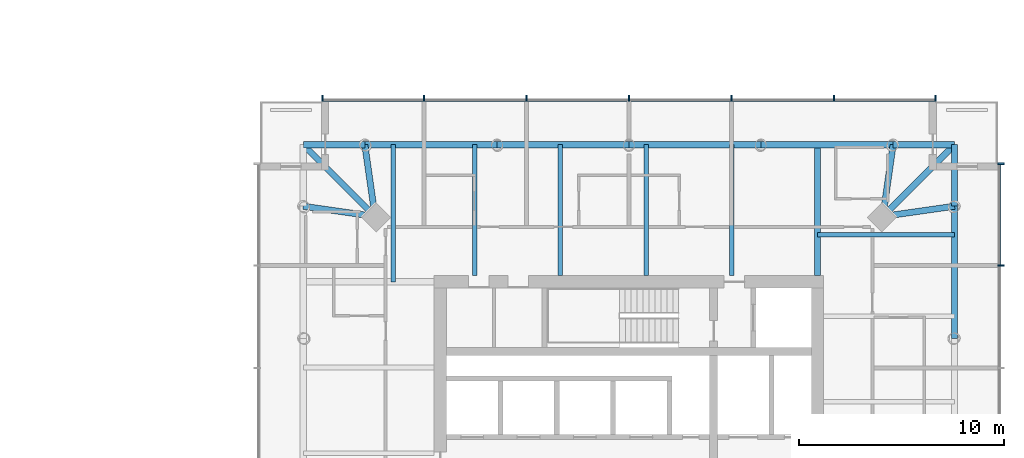
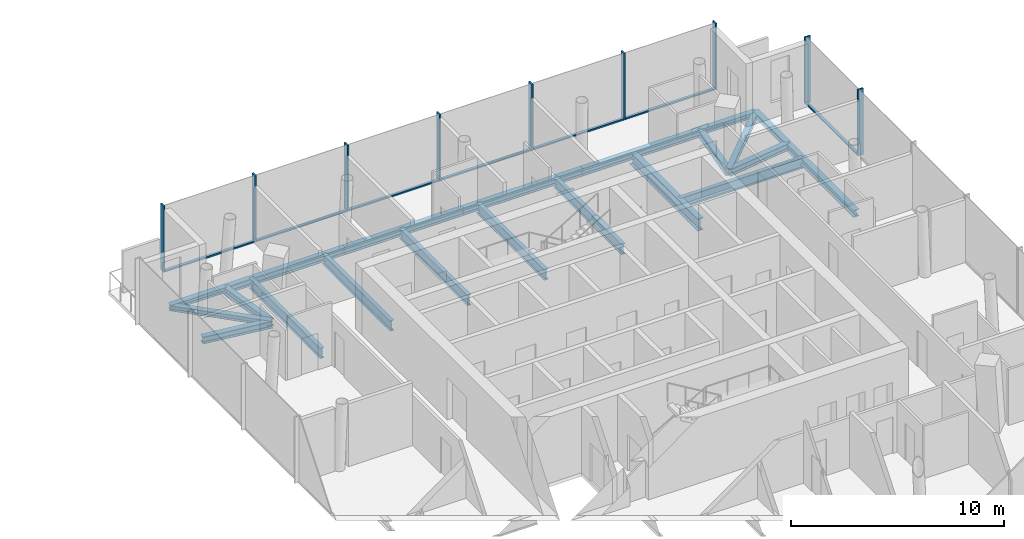
# One storey, part 5 of 18: 21 beams, 16 members, 2 elements without a shape of their own.
"""IFC4 building model written with IfcOpenShell, lengths in metres."""

from ifc_helpers import new_model, si_unit, direction, frame, origin, origin_2d, place, context, subcontext, project, spatial, rectangle, i_section, extrude, material, material_profile, profile_set, type_object, element, aggregate, save


model = new_model("IFC4")

# Units and contexts
model_context = context("Model", 3, precision=1e-05, world=origin(), true_north=direction((0.0, 1.0)))
body_context = subcontext(model_context, "Body", "Model", "MODEL_VIEW")
ifc_project = project(units=[si_unit("LENGTHUNIT", "METRE"), si_unit("AREAUNIT", "SQUARE_METRE"), si_unit("VOLUMEUNIT", "CUBIC_METRE"), si_unit("PLANEANGLEUNIT", "RADIAN"), si_unit("MASSUNIT", "GRAM", prefix="KILO")], contexts=[model_context])

# Site, building, storey
site_placement = place(None, origin())
site = spatial("IfcSite", under=ifc_project, at=site_placement, CompositionType="ELEMENT")
building_placement = place(site_placement, origin())
building = spatial("IfcBuilding", under=site, at=building_placement, Name="Ostroluk Exchange", CompositionType="ELEMENT")
storey_placement = place(building_placement, frame((0.0, 0.0, 93.199951171875)))
storey = spatial("IfcBuildingStorey", under=building, at=storey_placement, Name="L23", CompositionType="ELEMENT", Elevation=93.199951171875)

# Beams
ifc_material_1 = material(Name="Steel S355", Category="steel")
ifc_material_profile_1 = material_profile(ifc_material_1, i_section(OverallWidth=0.300048828125, OverallDepth=0.300048828125, WebThickness=0.010986328125, FlangeThickness=0.01904296875, FilletRadius=0.027099609375, at=origin_2d()), Name="HEB 300")
ifc_profile_set_1 = profile_set([ifc_material_profile_1], Name="Steel S355")
beam_type_1 = type_object("IfcBeamType", Name="Balcony beam HEB 300", PredefinedType="BEAM", material=ifc_profile_set_1)
for number, where, z_axis, x_axis, name in (
    (1, (132.887939453125, 58.887939453125, -0.349853515625), (0.0, 1.0, 0.0), (-1.0, 0.0, 0.0), "T2 east balcony beam a"),
    (2, (129.887939453125, 61.887939453125, -0.349853515625), (1.0, 0.0, 0.0), (0.0, 1.0, 0.0), "T2 east balcony beam b"),
):
    element("IfcBeam", number, at=place(storey_placement, frame(where, z_axis=z_axis, x_axis=x_axis)), inside=storey, type_object=beam_type_1, Name=name, PredefinedType="BEAM", context=body_context, shape_type="SweptSolid", body=[
        extrude(i_section(OverallWidth=0.300048828125, OverallDepth=0.300048828125, WebThickness=0.010986328125, FlangeThickness=0.01904296875, FilletRadius=0.027099609375, at=origin_2d()), origin(), (0.0, 0.0, 1.0), 3.0),
    ])
beam_1_placement = place(storey_placement, frame((129.387939453125, 58.387939453125, -0.349853515625), z_axis=(0.707106781187, 0.707106781187, 0.0), x_axis=(-0.707106781187, 0.707106781187, 0.0)))
element("IfcBeam", 3, at=beam_1_placement, inside=storey, type_object=beam_type_1, Name="T2 east balcony beam c", PredefinedType="BEAM", context=body_context, shape_type="SweptSolid", body=[
    extrude(i_section(OverallWidth=0.300048828125, OverallDepth=0.300048828125, WebThickness=0.010986328125, FlangeThickness=0.01904296875, FilletRadius=0.027099609375, at=origin_2d()), origin(), (0.0, 0.0, 1.0), 4.94970703125),
])
beam_2_placement = place(storey_placement, frame((104.112060546875, 61.887939453125, -0.349853515625), z_axis=(-1.0, 0.0, 0.0), x_axis=(0.0, -1.0, 0.0)))
element("IfcBeam", 4, at=beam_2_placement, inside=storey, type_object=beam_type_1, Name="T2 north balcony beam a", PredefinedType="BEAM", context=body_context, shape_type="SweptSolid", body=[
    extrude(i_section(OverallWidth=0.300048828125, OverallDepth=0.300048828125, WebThickness=0.010986328125, FlangeThickness=0.01904296875, FilletRadius=0.027099609375, at=origin_2d()), origin(), (0.0, 0.0, 1.0), 3.0),
])
beam_3_placement = place(storey_placement, frame((104.612060546875, 58.387939453125, -0.349853515625), z_axis=(-0.707106781187, 0.707106781187, 0.0), x_axis=(-0.707106781187, -0.707106781187, 0.0)))
element("IfcBeam", 5, at=beam_3_placement, inside=storey, type_object=beam_type_1, Name="T2 north balcony beam c", PredefinedType="BEAM", context=body_context, shape_type="SweptSolid", body=[
    extrude(i_section(OverallWidth=0.300048828125, OverallDepth=0.300048828125, WebThickness=0.010986328125, FlangeThickness=0.01904296875, FilletRadius=0.027099609375, at=origin_2d()), origin(), (0.0, 0.0, 1.0), 4.94970703125),
])
ifc_material_2 = material(Name="Steel S355", Category="steel")
ifc_material_profile_2 = material_profile(ifc_material_2, i_section(OverallWidth=0.300048828125, OverallDepth=0.39990234375, WebThickness=0.013427734375, FlangeThickness=0.02392578125, FilletRadius=0.027099609375, at=origin_2d()), Name="HEB 400")
ifc_profile_set_2 = profile_set([ifc_material_profile_2], Name="Steel S355")
beam_type_2 = type_object("IfcBeamType", Name="Corner edge beam HEB 400", PredefinedType="SPANDREL", material=ifc_profile_set_2)
for number, where, z_axis, x_axis, name in (
    (6, (129.387939453125, 58.387939453125, -0.39990234375), (0.989949493661, 0.141421356237, 0.0), (-0.141421356237, 0.989949493661, 0.0), "T2 east corner edge beam a"),
    (7, (129.387939453125, 58.387939453125, -0.39990234375), (0.141421356237, 0.989949493661, 0.0), (-0.989949493661, 0.141421356237, 0.0), "T2 east corner edge beam b"),
    (8, (104.612060546875, 58.387939453125, -0.39990234375), (-0.141421356237, 0.989949493661, 0.0), (-0.989949493661, -0.141421356237, 0.0), "T2 north corner edge beam a"),
    (9, (104.612060546875, 58.387939453125, -0.39990234375), (-0.989949493661, 0.141421356237, 0.0), (-0.141421356237, -0.989949493661, 0.0), "T2 north corner edge beam b"),
):
    element("IfcBeam", number, at=place(storey_placement, frame(where, z_axis=z_axis, x_axis=x_axis)), inside=storey, type_object=beam_type_2, Name=name, PredefinedType="SPANDREL", context=body_context, shape_type="SweptSolid", body=[
        extrude(i_section(OverallWidth=0.300048828125, OverallDepth=0.39990234375, WebThickness=0.013427734375, FlangeThickness=0.02392578125, FilletRadius=0.027099609375, at=origin_2d()), origin(), (0.0, 0.0, 1.0), 3.53564453125),
    ])
ifc_material_3 = material(Name="Steel S355", Category="steel")
ifc_material_profile_3 = material_profile(ifc_material_3, i_section(OverallWidth=0.219970703125, OverallDepth=0.60009765625, WebThickness=0.011962890625, FlangeThickness=0.01904296875, FilletRadius=0.02392578125, at=origin_2d()), Name="IPE 600")
ifc_profile_set_3 = profile_set([ifc_material_profile_3], Name="Steel S355")
beam_type_3 = type_object("IfcBeamType", Name="Floor beam IPE 600", PredefinedType="BEAM", material=ifc_profile_set_3)
beam_4_placement = place(storey_placement, frame((126.199951171875, 57.488037109375, -0.5), z_axis=(1.0, 0.0, 0.0), x_axis=(0.0, 1.0, 0.0)))
element("IfcBeam", 10, at=beam_4_placement, inside=storey, type_object=beam_type_3, Name="T2 east floor beam 5", PredefinedType="BEAM", context=body_context, shape_type="SweptSolid", body=[
    extrude(i_section(OverallWidth=0.219970703125, OverallDepth=0.60009765625, WebThickness=0.011962890625, FlangeThickness=0.01904296875, FilletRadius=0.02392578125, at=origin_2d()), origin(), (0.0, 0.0, 1.0), 6.68798828125),
])
for number, where, z_axis, x_axis, name in (
    (11, (122.018798828125, 55.5, -0.5), (0.0, 1.0, 0.0), (-1.0, 0.0, 0.0), "T2 north floor beam 1"),
    (12, (117.83740234375, 55.5, -0.5), (0.0, 1.0, 0.0), (-1.0, 0.0, 0.0), "T2 north floor beam 2"),
    (13, (113.656005859375, 55.5, -0.5), (0.0, 1.0, 0.0), (-1.0, 0.0, 0.0), "T2 north floor beam 3"),
    (14, (109.474609375, 55.5, -0.5), (0.0, 1.0, 0.0), (-1.0, 0.0, 0.0), "T2 north floor beam 4"),
):
    element("IfcBeam", number, at=place(storey_placement, frame(where, z_axis=z_axis, x_axis=x_axis)), inside=storey, type_object=beam_type_3, Name=name, PredefinedType="BEAM", context=body_context, shape_type="SweptSolid", body=[
        extrude(i_section(OverallWidth=0.219970703125, OverallDepth=0.60009765625, WebThickness=0.011962890625, FlangeThickness=0.01904296875, FilletRadius=0.02392578125, at=origin_2d()), origin(), (0.0, 0.0, 1.0), 6.387939453125),
    ])
beam_5_placement = place(storey_placement, frame((105.511962890625, 55.199951171875, -0.5), z_axis=(0.0, 1.0, 0.0), x_axis=(-1.0, 0.0, 0.0)))
element("IfcBeam", 15, at=beam_5_placement, inside=storey, type_object=beam_type_3, Name="T2 north floor beam 5", PredefinedType="BEAM", context=body_context, shape_type="SweptSolid", body=[
    extrude(i_section(OverallWidth=0.219970703125, OverallDepth=0.60009765625, WebThickness=0.011962890625, FlangeThickness=0.01904296875, FilletRadius=0.02392578125, at=origin_2d()), origin(), (0.0, 0.0, 1.0), 6.68798828125),
])
ifc_material_4 = material(Name="Steel S355", Category="steel")
ifc_material_profile_4 = material_profile(ifc_material_4, i_section(OverallWidth=0.300048828125, OverallDepth=0.699951171875, WebThickness=0.01708984375, FlangeThickness=0.031982421875, FilletRadius=0.027099609375, at=origin_2d()), Name="HEB 700")
ifc_profile_set_4 = profile_set([ifc_material_profile_4], Name="Steel S355")
beam_type_4 = type_object("IfcBeamType", Name="Girder HEB 700", PredefinedType="BEAM", material=ifc_profile_set_4)
beam_6_placement = place(storey_placement, frame((126.199951171875, 55.5, -0.550048828125), z_axis=(0.0, 1.0, 0.0), x_axis=(-1.0, 0.0, 0.0)))
element("IfcBeam", 16, at=beam_6_placement, inside=storey, type_object=beam_type_4, Name="T2 east girder", PredefinedType="BEAM", context=body_context, shape_type="SweptSolid", body=[
    extrude(i_section(OverallWidth=0.300048828125, OverallDepth=0.699951171875, WebThickness=0.01708984375, FlangeThickness=0.031982421875, FilletRadius=0.027099609375, at=origin_2d()), origin(), (0.0, 0.0, 1.0), 6.387939453125),
])
ifc_material_5 = material(Name="Steel S355", Category="steel")
ifc_material_profile_5 = material_profile(ifc_material_5, i_section(OverallWidth=0.300048828125, OverallDepth=0.39990234375, WebThickness=0.013427734375, FlangeThickness=0.02392578125, FilletRadius=0.027099609375, at=origin_2d()), Name="HEB 400")
ifc_profile_set_5 = profile_set([ifc_material_profile_5], Name="Steel S355")
beam_type_5 = type_object("IfcBeamType", Name="Moment-connected edge beam HEB 400", PredefinedType="SPANDREL", material=ifc_profile_set_5)
for number, where, z_axis, x_axis, name in (
    (17, (132.887939453125, 52.44384765625, -0.39990234375), (0.0, 1.0, 0.0), (-1.0, 0.0, 0.0), "T2 east edge beam 4"),
    (18, (129.887939453125, 61.887939453125, -0.39990234375), (-1.0, 0.0, 0.0), (0.0, -1.0, 0.0), "T2 north edge beam 1"),
):
    element("IfcBeam", number, at=place(storey_placement, frame(where, z_axis=z_axis, x_axis=x_axis)), inside=storey, type_object=beam_type_5, Name=name, PredefinedType="SPANDREL", context=body_context, shape_type="SweptSolid", body=[
        extrude(i_section(OverallWidth=0.300048828125, OverallDepth=0.39990234375, WebThickness=0.013427734375, FlangeThickness=0.02392578125, FilletRadius=0.027099609375, at=origin_2d()), origin(), (0.0, 0.0, 1.0), 6.444091796875),
    ])
for number, where, z_axis, x_axis, name in (
    (19, (123.44384765625, 61.887939453125, -0.39990234375), (-1.0, 0.0, 0.0), (0.0, -1.0, 0.0), "T2 north edge beam 2"),
    (20, (117.0, 61.887939453125, -0.39990234375), (-1.0, 0.0, 0.0), (0.0, -1.0, 0.0), "T2 north edge beam 3"),
):
    element("IfcBeam", number, at=place(storey_placement, frame(where, z_axis=z_axis, x_axis=x_axis)), inside=storey, type_object=beam_type_5, Name=name, PredefinedType="SPANDREL", context=body_context, shape_type="SweptSolid", body=[
        extrude(i_section(OverallWidth=0.300048828125, OverallDepth=0.39990234375, WebThickness=0.013427734375, FlangeThickness=0.02392578125, FilletRadius=0.027099609375, at=origin_2d()), origin(), (0.0, 0.0, 1.0), 6.44384765625),
    ])
beam_7_placement = place(storey_placement, frame((110.55615234375, 61.887939453125, -0.39990234375), z_axis=(-1.0, 0.0, 0.0), x_axis=(0.0, -1.0, 0.0)))
element("IfcBeam", 21, at=beam_7_placement, inside=storey, type_object=beam_type_5, Name="T2 north edge beam 4", PredefinedType="SPANDREL", context=body_context, shape_type="SweptSolid", body=[
    extrude(i_section(OverallWidth=0.300048828125, OverallDepth=0.39990234375, WebThickness=0.013427734375, FlangeThickness=0.02392578125, FilletRadius=0.027099609375, at=origin_2d()), origin(), (0.0, 0.0, 1.0), 6.444091796875),
])

# Curtain wall, member
ifc_material_6 = material(Name="Laminated clear glass", Category="glass")
curtain_wall_type = type_object("IfcCurtainWallType", Name="Hotel guest floor facade", PredefinedType="USERDEFINED", material=ifc_material_6)
curtain_wall_1_placement = place(storey_placement, origin())
curtain_wall_1 = element("IfcCurtainWall", 22, at=curtain_wall_1_placement, inside=storey, type_object=curtain_wall_type, Name="Hotel tower east facade L23", ObjectType="UNITISED CURTAIN WALL", PredefinedType="USERDEFINED")
ifc_material_7 = material(Name="Aluminium mullion", Category="aluminium")
ifc_material_profile_6 = material_profile(ifc_material_7, rectangle(XDim=0.14990234375, YDim=0.080078125, at=origin_2d()), Name="Sill transom 80 x 150")
ifc_profile_set_6 = profile_set([ifc_material_profile_6], Name="Aluminium mullion")
member_type_1 = type_object("IfcMemberType", Name="Sill transom 80 x 150", PredefinedType="USERDEFINED", material=ifc_profile_set_6)
member_1_placement = place(storey_placement, frame((135.074951171875, 56.0400390625, 0.0400390625), z_axis=(0.0, 1.0, 0.0), x_axis=(-1.0, 0.0, 0.0)))
member_1 = element("IfcMember", 23, at=member_1_placement, type_object=member_type_1, Name="CW-H1 transom 6.1", ObjectType="TRANSOM", PredefinedType="USERDEFINED", context=body_context, shape_type="SweptSolid", body=[
    extrude(rectangle(XDim=0.14990234375, YDim=0.080078125, at=origin_2d()), origin(), (0.0, 0.0, 1.0), 4.8798828125),
])

# Curtain wall, members
curtain_wall_2_placement = place(storey_placement, origin())
curtain_wall_2 = element("IfcCurtainWall", 24, at=curtain_wall_2_placement, inside=storey, type_object=curtain_wall_type, Name="Hotel tower north facade L23", ObjectType="UNITISED CURTAIN WALL", PredefinedType="USERDEFINED")
member_2_placement = place(storey_placement, frame((131.919921875, 64.074951171875, 0.0400390625), z_axis=(-1.0, 0.0, 0.0), x_axis=(0.0, -1.0, 0.0)))
member_2 = element("IfcMember", 25, at=member_2_placement, type_object=member_type_1, Name="CW-H1 transom 1.1", ObjectType="TRANSOM", PredefinedType="USERDEFINED", context=body_context, shape_type="SweptSolid", body=[
    extrude(rectangle(XDim=0.14990234375, YDim=0.080078125, at=origin_2d()), origin(), (0.0, 0.0, 1.0), 4.8798828125),
])
member_3_placement = place(storey_placement, frame((126.9599609375, 64.074951171875, 0.0400390625), z_axis=(-1.0, 0.0, 0.0), x_axis=(0.0, -1.0, 0.0)))
member_3 = element("IfcMember", 26, at=member_3_placement, type_object=member_type_1, Name="CW-H1 transom 2.1", ObjectType="TRANSOM", PredefinedType="USERDEFINED", context=body_context, shape_type="SweptSolid", body=[
    extrude(rectangle(XDim=0.14990234375, YDim=0.080078125, at=origin_2d()), origin(), (0.0, 0.0, 1.0), 4.919921875),
])
member_4_placement = place(storey_placement, frame((121.9599609375, 64.074951171875, 0.0400390625), z_axis=(-1.0, 0.0, 0.0), x_axis=(0.0, -1.0, 0.0)))
member_4 = element("IfcMember", 27, at=member_4_placement, type_object=member_type_1, Name="CW-H1 transom 3.1", ObjectType="TRANSOM", PredefinedType="USERDEFINED", context=body_context, shape_type="SweptSolid", body=[
    extrude(rectangle(XDim=0.14990234375, YDim=0.080078125, at=origin_2d()), origin(), (0.0, 0.0, 1.0), 4.919921875),
])
member_5_placement = place(storey_placement, frame((116.9599609375, 64.074951171875, 0.0400390625), z_axis=(-1.0, 0.0, 0.0), x_axis=(0.0, -1.0, 0.0)))
member_5 = element("IfcMember", 28, at=member_5_placement, type_object=member_type_1, Name="CW-H1 transom 4.1", ObjectType="TRANSOM", PredefinedType="USERDEFINED", context=body_context, shape_type="SweptSolid", body=[
    extrude(rectangle(XDim=0.14990234375, YDim=0.080078125, at=origin_2d()), origin(), (0.0, 0.0, 1.0), 4.919921875),
])
member_6_placement = place(storey_placement, frame((111.9599609375, 64.074951171875, 0.0400390625), z_axis=(-1.0, 0.0, 0.0), x_axis=(0.0, -1.0, 0.0)))
member_6 = element("IfcMember", 29, at=member_6_placement, type_object=member_type_1, Name="CW-H1 transom 5.1", ObjectType="TRANSOM", PredefinedType="USERDEFINED", context=body_context, shape_type="SweptSolid", body=[
    extrude(rectangle(XDim=0.14990234375, YDim=0.080078125, at=origin_2d()), origin(), (0.0, 0.0, 1.0), 4.919921875),
])
member_7_placement = place(storey_placement, frame((106.9599609375, 64.074951171875, 0.0400390625), z_axis=(-1.0, 0.0, 0.0), x_axis=(0.0, -1.0, 0.0)))
member_7 = element("IfcMember", 30, at=member_7_placement, type_object=member_type_1, Name="CW-H1 transom 6.1", ObjectType="TRANSOM", PredefinedType="USERDEFINED", context=body_context, shape_type="SweptSolid", body=[
    extrude(rectangle(XDim=0.14990234375, YDim=0.080078125, at=origin_2d()), origin(), (0.0, 0.0, 1.0), 4.8798828125),
])

# Member
ifc_material_8 = material(Name="Aluminium mullion with limestone facing", Category="masonry")
ifc_material_profile_7 = material_profile(ifc_material_8, rectangle(XDim=0.300048828125, YDim=0.080078125, at=origin_2d()), Name="Tracery mullion 80 x 300")
ifc_profile_set_7 = profile_set([ifc_material_profile_7], Name="Aluminium mullion with limestone facing")
member_type_2 = type_object("IfcMemberType", Name="Tracery mullion 80 x 300", PredefinedType="MULLION", material=ifc_profile_set_7)
member_8_placement = place(storey_placement, frame((135.14990234375, 56.0, 0.0), z_axis=(0.0, 0.0, 1.0), x_axis=(-1.0, 0.0, 0.0)))
member_8 = element("IfcMember", 31, at=member_8_placement, type_object=member_type_2, Name="CW-H1 mullion 6", PredefinedType="MULLION", context=body_context, shape_type="SweptSolid", body=[
    extrude(rectangle(XDim=0.300048828125, YDim=0.080078125, at=origin_2d()), origin(), (0.0, 0.0, 1.0), 3.800048828125),
])

member_9_placement = place(storey_placement, frame((135.14990234375, 60.9599609375, 0.0), z_axis=(0.0, 0.0, 1.0), x_axis=(-1.0, 0.0, 0.0)))
member_9 = element("IfcMember", 32, at=member_9_placement, type_object=member_type_2, Name="CW-H1 mullion 7", PredefinedType="MULLION", context=body_context, shape_type="SweptSolid", body=[
    extrude(rectangle(XDim=0.300048828125, YDim=0.080078125, at=origin_2d()), origin(), (0.0, 0.0, 1.0), 3.800048828125),
])

aggregate(curtain_wall_1, [member_8, member_9, member_1])

member_10_placement = place(storey_placement, frame((131.9599609375, 64.14990234375, 0.0), z_axis=(0.0, 0.0, 1.0), x_axis=(0.0, -1.0, 0.0)))
member_10 = element("IfcMember", 33, at=member_10_placement, type_object=member_type_2, Name="CW-H1 mullion 1", PredefinedType="MULLION", context=body_context, shape_type="SweptSolid", body=[
    extrude(rectangle(XDim=0.300048828125, YDim=0.080078125, at=origin_2d()), origin(), (0.0, 0.0, 1.0), 3.800048828125),
])

member_11_placement = place(storey_placement, frame((127.0, 64.14990234375, 0.0), z_axis=(0.0, 0.0, 1.0), x_axis=(0.0, -1.0, 0.0)))
member_11 = element("IfcMember", 34, at=member_11_placement, type_object=member_type_2, Name="CW-H1 mullion 2", PredefinedType="MULLION", context=body_context, shape_type="SweptSolid", body=[
    extrude(rectangle(XDim=0.300048828125, YDim=0.080078125, at=origin_2d()), origin(), (0.0, 0.0, 1.0), 3.800048828125),
])

member_12_placement = place(storey_placement, frame((122.0, 64.14990234375, 0.0), z_axis=(0.0, 0.0, 1.0), x_axis=(0.0, -1.0, 0.0)))
member_12 = element("IfcMember", 35, at=member_12_placement, type_object=member_type_2, Name="CW-H1 mullion 3", PredefinedType="MULLION", context=body_context, shape_type="SweptSolid", body=[
    extrude(rectangle(XDim=0.300048828125, YDim=0.080078125, at=origin_2d()), origin(), (0.0, 0.0, 1.0), 3.800048828125),
])

member_13_placement = place(storey_placement, frame((117.0, 64.14990234375, 0.0), z_axis=(0.0, 0.0, 1.0), x_axis=(0.0, -1.0, 0.0)))
member_13 = element("IfcMember", 36, at=member_13_placement, type_object=member_type_2, Name="CW-H1 mullion 4", PredefinedType="MULLION", context=body_context, shape_type="SweptSolid", body=[
    extrude(rectangle(XDim=0.300048828125, YDim=0.080078125, at=origin_2d()), origin(), (0.0, 0.0, 1.0), 3.800048828125),
])

member_14_placement = place(storey_placement, frame((112.0, 64.14990234375, 0.0), z_axis=(0.0, 0.0, 1.0), x_axis=(0.0, -1.0, 0.0)))
member_14 = element("IfcMember", 37, at=member_14_placement, type_object=member_type_2, Name="CW-H1 mullion 5", PredefinedType="MULLION", context=body_context, shape_type="SweptSolid", body=[
    extrude(rectangle(XDim=0.300048828125, YDim=0.080078125, at=origin_2d()), origin(), (0.0, 0.0, 1.0), 3.800048828125),
])

member_15_placement = place(storey_placement, frame((107.0, 64.14990234375, 0.0), z_axis=(0.0, 0.0, 1.0), x_axis=(0.0, -1.0, 0.0)))
member_15 = element("IfcMember", 38, at=member_15_placement, type_object=member_type_2, Name="CW-H1 mullion 6", PredefinedType="MULLION", context=body_context, shape_type="SweptSolid", body=[
    extrude(rectangle(XDim=0.300048828125, YDim=0.080078125, at=origin_2d()), origin(), (0.0, 0.0, 1.0), 3.800048828125),
])

member_16_placement = place(storey_placement, frame((102.0400390625, 64.14990234375, 0.0), z_axis=(0.0, 0.0, 1.0), x_axis=(0.0, -1.0, 0.0)))
member_16 = element("IfcMember", 39, at=member_16_placement, type_object=member_type_2, Name="CW-H1 mullion 7", PredefinedType="MULLION", context=body_context, shape_type="SweptSolid", body=[
    extrude(rectangle(XDim=0.300048828125, YDim=0.080078125, at=origin_2d()), origin(), (0.0, 0.0, 1.0), 3.800048828125),
])

aggregate(curtain_wall_2, [member_10, member_11, member_12, member_13, member_14, member_15, member_16, member_2, member_3, member_4, member_5, member_6, member_7])

save(model, "model.ifc")
